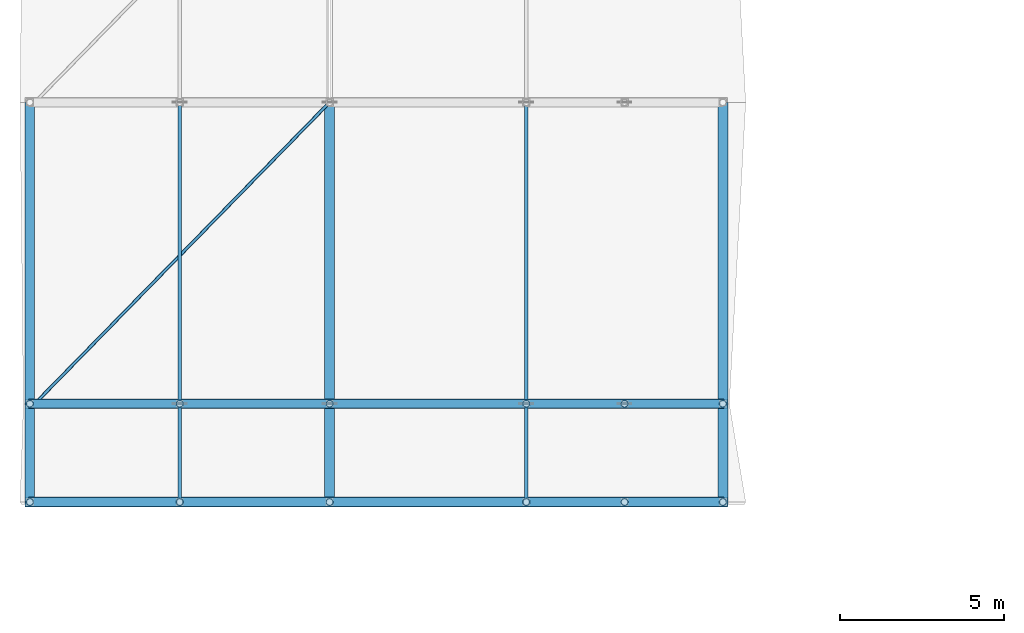
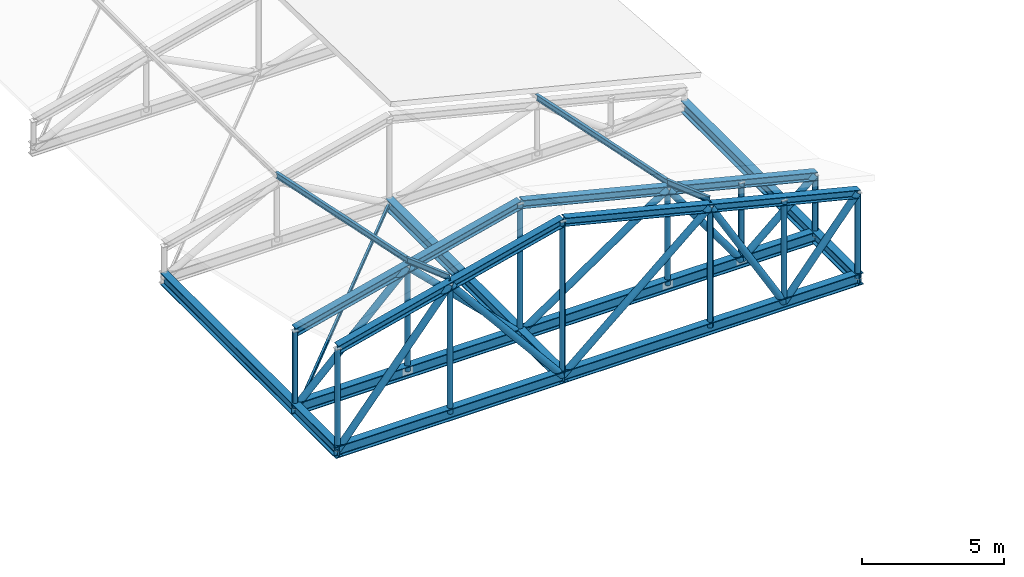
# One storey, part 15 of 61: 31 members, 5 beams.
"""IFC4 building model written with IfcOpenShell, lengths in metres."""

from ifc_helpers import new_model, si_unit, direction, frame, origin, origin_2d, place, context, subcontext, project, spatial, hollow_rectangle, hollow_circle, i_section, extrude, material, material_profile, profile_set, type_object, element, save


model = new_model("IFC4")

# Units and contexts
model_context = context("Model", 3, precision=1e-05, world=origin(), true_north=direction((0.0, 1.0)))
body_context = subcontext(model_context, "Body", "Model", "MODEL_VIEW")
ifc_project = project(units=[si_unit("LENGTHUNIT", "METRE"), si_unit("AREAUNIT", "SQUARE_METRE"), si_unit("VOLUMEUNIT", "CUBIC_METRE"), si_unit("PLANEANGLEUNIT", "RADIAN"), si_unit("MASSUNIT", "GRAM", prefix="KILO")], contexts=[model_context])

# Site, building, storey
site_placement = place(None, origin())
site = spatial("IfcSite", under=ifc_project, at=site_placement, CompositionType="ELEMENT")
building_placement = place(site_placement, origin())
building = spatial("IfcBuilding", under=site, at=building_placement, Name="Bozkorgan Art Gallery", CompositionType="ELEMENT")
storey_placement = place(building_placement, frame((0.0, 0.0, 10.199951171875)))
storey = spatial("IfcBuildingStorey", under=building, at=storey_placement, Name="L02", CompositionType="ELEMENT", Elevation=10.199951171875)

# Beams
ifc_material = material(Name="Steel S355J2", Category="steel")
ifc_material_profile_1 = material_profile(ifc_material, i_section(OverallWidth=0.300048828125, OverallDepth=0.5, WebThickness=0.014404296875, FlangeThickness=0.028076171875, FilletRadius=0.027099609375, at=origin_2d()), Name="HEB 500")
ifc_profile_set_1 = profile_set([ifc_material_profile_1], Name="Steel S355J2")
beam_type = type_object("IfcBeamType", Name="BEAM-TO-52", PredefinedType="BEAM", material=ifc_profile_set_1)
for number, where, z_axis, x_axis, name in (
    (1, (1.85009765625, 53.659912109375, 0.25), (0.0, 1.0, 0.0), (-1.0, 0.0, 0.0), "ROOF-V2-MAIN south overhang continuous truss chord 1"),
    (2, (11.0, 53.659912109375, 0.25), (0.0, 1.0, 0.0), (-1.0, 0.0, 0.0), "ROOF-V2-MAIN south overhang continuous truss chord 2"),
    (3, (23.0, 53.659912109375, 0.25), (0.0, 1.0, 0.0), (-1.0, 0.0, 0.0), "ROOF-V2-MAIN south overhang continuous truss chord 3"),
):
    element("IfcBeam", number, at=place(storey_placement, frame(where, z_axis=z_axis, x_axis=x_axis)), inside=storey, type_object=beam_type, Name=name, PredefinedType="BEAM", context=body_context, shape_type="SweptSolid", body=[
        extrude(i_section(OverallWidth=0.300048828125, OverallDepth=0.5, WebThickness=0.014404296875, FlangeThickness=0.028076171875, FilletRadius=0.027099609375, at=origin_2d()), origin(), (0.0, 0.0, 1.0), 12.340087890625),
    ])
for number, where, z_axis, x_axis, name in (
    (4, (1.7099609375, 53.800048828125, 0.25), (1.0, 0.0, 0.0), (0.0, 1.0, 0.0), "ROOF-V2-MAIN overhang fascia truss 1 bottom chord"),
    (5, (1.7099609375, 56.800048828125, 0.25), (1.0, 0.0, 0.0), (0.0, 1.0, 0.0), "ROOF-V2-MAIN roof truss 2 bottom chord"),
):
    element("IfcBeam", number, at=place(storey_placement, frame(where, z_axis=z_axis, x_axis=x_axis)), inside=storey, type_object=beam_type, Name=name, PredefinedType="BEAM", context=body_context, shape_type="SweptSolid", body=[
        extrude(i_section(OverallWidth=0.300048828125, OverallDepth=0.5, WebThickness=0.014404296875, FlangeThickness=0.028076171875, FilletRadius=0.027099609375, at=origin_2d()), origin(), (0.0, 0.0, 1.0), 21.429931640625),
    ])

# Members
ifc_material_profile_2 = material_profile(ifc_material, hollow_circle(Radius=0.109619140625, WallThickness=0.010009765625, at=origin_2d()), Name="CHS 219.1x10")
ifc_profile_set_2 = profile_set([ifc_material_profile_2], Name="Steel S355J2")
member_type_1 = type_object("IfcMemberType", Name="MEMBER-PO-77", PredefinedType="POST", material=ifc_profile_set_2)
member_1_placement = place(storey_placement, frame((1.85009765625, 53.800048828125, 0.25), z_axis=(0.0, 0.0, 1.0), x_axis=(1.0, 0.0, 0.0)))
element("IfcMember", 6, at=member_1_placement, inside=storey, type_object=member_type_1, Name="ROOF-V2-MAIN roof truss 1 post 0", PredefinedType="POST", context=body_context, shape_type="SweptSolid", body=[
    extrude(hollow_circle(Radius=0.109619140625, WallThickness=0.010009765625, at=origin_2d()), origin(), (0.0, 0.0, 1.0), 4.3740234375),
])
member_2_placement = place(storey_placement, frame((6.425048828125, 53.800048828125, 0.25), z_axis=(0.0, 0.0, 1.0), x_axis=(1.0, 0.0, 0.0)))
element("IfcMember", 7, at=member_2_placement, inside=storey, type_object=member_type_1, Name="ROOF-V2-MAIN roof truss 1 post 1", PredefinedType="POST", context=body_context, shape_type="SweptSolid", body=[
    extrude(hollow_circle(Radius=0.109619140625, WallThickness=0.010009765625, at=origin_2d()), origin(), (0.0, 0.0, 1.0), 5.5146484375),
])
member_3_placement = place(storey_placement, frame((11.0, 53.800048828125, 0.25), z_axis=(0.0, 0.0, 1.0), x_axis=(1.0, 0.0, 0.0)))
element("IfcMember", 8, at=member_3_placement, inside=storey, type_object=member_type_1, Name="ROOF-V2-MAIN roof truss 1 post 2", PredefinedType="POST", context=body_context, shape_type="SweptSolid", body=[
    extrude(hollow_circle(Radius=0.109619140625, WallThickness=0.010009765625, at=origin_2d()), origin(), (0.0, 0.0, 1.0), 6.6552734375),
])
member_4_placement = place(storey_placement, frame((17.0, 53.800048828125, 0.25), z_axis=(0.0, 0.0, 1.0), x_axis=(1.0, 0.0, 0.0)))
element("IfcMember", 9, at=member_4_placement, inside=storey, type_object=member_type_1, Name="ROOF-V2-MAIN roof truss 1 post 3", PredefinedType="POST", context=body_context, shape_type="SweptSolid", body=[
    extrude(hollow_circle(Radius=0.109619140625, WallThickness=0.010009765625, at=origin_2d()), origin(), (0.0, 0.0, 1.0), 5.1591796875),
])
member_5_placement = place(storey_placement, frame((20.0, 53.800048828125, 0.25), z_axis=(0.0, 0.0, 1.0), x_axis=(1.0, 0.0, 0.0)))
element("IfcMember", 10, at=member_5_placement, inside=storey, type_object=member_type_1, Name="ROOF-V2-MAIN roof truss 1 post 4", PredefinedType="POST", context=body_context, shape_type="SweptSolid", body=[
    extrude(hollow_circle(Radius=0.109619140625, WallThickness=0.010009765625, at=origin_2d()), origin(), (0.0, 0.0, 1.0), 4.411376953125),
])
member_6_placement = place(storey_placement, frame((23.0, 53.800048828125, 0.25), z_axis=(0.0, 0.0, 1.0), x_axis=(1.0, 0.0, 0.0)))
element("IfcMember", 11, at=member_6_placement, inside=storey, type_object=member_type_1, Name="ROOF-V2-MAIN roof truss 1 post 5", PredefinedType="POST", context=body_context, shape_type="SweptSolid", body=[
    extrude(hollow_circle(Radius=0.109619140625, WallThickness=0.010009765625, at=origin_2d()), origin(), (0.0, 0.0, 1.0), 3.663330078125),
])
ifc_material_profile_3 = material_profile(ifc_material, i_section(OverallWidth=0.1201171875, OverallDepth=0.239990234375, WebThickness=0.006103515625, FlangeThickness=0.009765625, FilletRadius=0.014892578125, at=origin_2d()), Name="IPE 240")
ifc_profile_set_3 = profile_set([ifc_material_profile_3], Name="Steel S355J2")
member_type_2 = type_object("IfcMemberType", Name="MEMBER-PR-34", PredefinedType="PURLIN", material=ifc_profile_set_3)
for number, where, z_axis, x_axis, name in (
    (12, (6.425048828125, 53.800048828125, 6.0595703125), (0.0, 0.942723757647, -0.33357445461), (-1.0, 0.0, 0.0), "ROOF-V2-MAIN roof purlin 1W"),
    (13, (17.0, 53.800048828125, 5.704345703125), (0.0, 0.942699630067, -0.333642634372), (-1.0, 0.0, 0.0), "ROOF-V2-MAIN roof purlin 1E"),
):
    element("IfcMember", number, at=place(storey_placement, frame(where, z_axis=z_axis, x_axis=x_axis)), inside=storey, type_object=member_type_2, Name=name, PredefinedType="PURLIN", context=body_context, shape_type="SweptSolid", body=[
        extrude(i_section(OverallWidth=0.1201171875, OverallDepth=0.239990234375, WebThickness=0.006103515625, FlangeThickness=0.009765625, FilletRadius=0.014892578125, at=origin_2d()), origin(), (0.0, 0.0, 1.0), 3.182373046875),
    ])
for number, where, z_axis, x_axis, name in (
    (14, (6.425048828125, 56.800048828125, 4.998046875), (0.0, 0.978921377618, -0.204237451127), (-1.0, 0.0, 0.0), "ROOF-V2-MAIN roof purlin 2W"),
    (15, (17.0, 56.800048828125, 4.642578125), (0.0, 0.978926571133, -0.204212556741), (-1.0, 0.0, 0.0), "ROOF-V2-MAIN roof purlin 2E"),
):
    element("IfcMember", number, at=place(storey_placement, frame(where, z_axis=z_axis, x_axis=x_axis)), inside=storey, type_object=member_type_2, Name=name, PredefinedType="PURLIN", context=body_context, shape_type="SweptSolid", body=[
        extrude(i_section(OverallWidth=0.1201171875, OverallDepth=0.239990234375, WebThickness=0.006103515625, FlangeThickness=0.009765625, FilletRadius=0.014892578125, at=origin_2d()), origin(), (0.0, 0.0, 1.0), 9.39794921875),
    ])
ifc_material_profile_4 = material_profile(ifc_material, i_section(OverallWidth=0.300048828125, OverallDepth=0.35009765625, WebThickness=0.010009765625, FlangeThickness=0.017578125, FilletRadius=0.027099609375, at=origin_2d()), Name="HEA 360")
ifc_profile_set_4 = profile_set([ifc_material_profile_4], Name="Steel S355J2")
member_type_3 = type_object("IfcMemberType", Name="MEMBER-TC-31", PredefinedType="CHORD", material=ifc_profile_set_4)
member_7_placement = place(storey_placement, frame((1.85009765625, 53.800048828125, 4.6240234375), z_axis=(0.970297639918, 0.0, 0.241914220273), x_axis=(0.0, 1.0, 0.0)))
element("IfcMember", 16, at=member_7_placement, inside=storey, type_object=member_type_3, Name="ROOF-V2-MAIN roof truss 1 west top chord", PredefinedType="CHORD", context=body_context, shape_type="SweptSolid", body=[
    extrude(i_section(OverallWidth=0.300048828125, OverallDepth=0.35009765625, WebThickness=0.010009765625, FlangeThickness=0.017578125, FilletRadius=0.027099609375, at=origin_2d()), origin(), (0.0, 0.0, 1.0), 9.429931640625),
])
member_8_placement = place(storey_placement, frame((11.0, 53.800048828125, 6.9052734375), z_axis=(0.970295587241, 0.0, -0.24192245324), x_axis=(0.0, 1.0, 0.0)))
element("IfcMember", 17, at=member_8_placement, inside=storey, type_object=member_type_3, Name="ROOF-V2-MAIN roof truss 1 east top chord", PredefinedType="CHORD", context=body_context, shape_type="SweptSolid", body=[
    extrude(i_section(OverallWidth=0.300048828125, OverallDepth=0.35009765625, WebThickness=0.010009765625, FlangeThickness=0.017578125, FilletRadius=0.027099609375, at=origin_2d()), origin(), (0.0, 0.0, 1.0), 12.367431640625),
])
member_9_placement = place(storey_placement, frame((1.85009765625, 56.800048828125, 3.562255859375), z_axis=(0.97029156257, 0.0, 0.241938594701), x_axis=(0.0, 1.0, 0.0)))
element("IfcMember", 18, at=member_9_placement, inside=storey, type_object=member_type_3, Name="ROOF-V2-MAIN roof truss 2 west top chord", PredefinedType="CHORD", context=body_context, shape_type="SweptSolid", body=[
    extrude(i_section(OverallWidth=0.300048828125, OverallDepth=0.35009765625, WebThickness=0.010009765625, FlangeThickness=0.017578125, FilletRadius=0.027099609375, at=origin_2d()), origin(), (0.0, 0.0, 1.0), 9.43017578125),
])
member_10_placement = place(storey_placement, frame((11.0, 56.800048828125, 5.84375), z_axis=(0.970295587241, 0.0, -0.24192245324), x_axis=(0.0, 1.0, 0.0)))
element("IfcMember", 19, at=member_10_placement, inside=storey, type_object=member_type_3, Name="ROOF-V2-MAIN roof truss 2 east top chord", PredefinedType="CHORD", context=body_context, shape_type="SweptSolid", body=[
    extrude(i_section(OverallWidth=0.300048828125, OverallDepth=0.35009765625, WebThickness=0.010009765625, FlangeThickness=0.017578125, FilletRadius=0.027099609375, at=origin_2d()), origin(), (0.0, 0.0, 1.0), 12.367431640625),
])
ifc_material_profile_5 = material_profile(ifc_material, hollow_circle(Radius=0.109619140625, WallThickness=0.010009765625, at=origin_2d()), Name="CHS 219.1x10")
ifc_profile_set_5 = profile_set([ifc_material_profile_5], Name="Steel S355J2")
member_type_4 = type_object("IfcMemberType", Name="MEMBER-TP-78", PredefinedType="POST", material=ifc_profile_set_5)
member_11_placement = place(storey_placement, frame((1.85009765625, 56.800048828125, 0.25), z_axis=(0.0, 0.0, 1.0), x_axis=(1.0, 0.0, 0.0)))
element("IfcMember", 20, at=member_11_placement, inside=storey, type_object=member_type_4, Name="ROOF-V2-MAIN roof truss 2 post 0", PredefinedType="POST", context=body_context, shape_type="SweptSolid", body=[
    extrude(hollow_circle(Radius=0.109619140625, WallThickness=0.010009765625, at=origin_2d()), origin(), (0.0, 0.0, 1.0), 3.312255859375),
])
member_12_placement = place(storey_placement, frame((6.425048828125, 56.800048828125, 0.25), z_axis=(0.0, 0.0, 1.0), x_axis=(1.0, 0.0, 0.0)))
element("IfcMember", 21, at=member_12_placement, inside=storey, type_object=member_type_4, Name="ROOF-V2-MAIN roof truss 2 post 1", PredefinedType="POST", context=body_context, shape_type="SweptSolid", body=[
    extrude(hollow_circle(Radius=0.109619140625, WallThickness=0.010009765625, at=origin_2d()), origin(), (0.0, 0.0, 1.0), 4.452880859375),
])
member_13_placement = place(storey_placement, frame((11.0, 56.800048828125, 0.25), z_axis=(0.0, 0.0, 1.0), x_axis=(1.0, 0.0, 0.0)))
element("IfcMember", 22, at=member_13_placement, inside=storey, type_object=member_type_4, Name="ROOF-V2-MAIN roof truss 2 post 2", PredefinedType="POST", context=body_context, shape_type="SweptSolid", body=[
    extrude(hollow_circle(Radius=0.109619140625, WallThickness=0.010009765625, at=origin_2d()), origin(), (0.0, 0.0, 1.0), 5.59375),
])
member_14_placement = place(storey_placement, frame((17.0, 56.800048828125, 0.25), z_axis=(0.0, 0.0, 1.0), x_axis=(1.0, 0.0, 0.0)))
element("IfcMember", 23, at=member_14_placement, inside=storey, type_object=member_type_4, Name="ROOF-V2-MAIN roof truss 2 post 3", PredefinedType="POST", context=body_context, shape_type="SweptSolid", body=[
    extrude(hollow_circle(Radius=0.109619140625, WallThickness=0.010009765625, at=origin_2d()), origin(), (0.0, 0.0, 1.0), 4.09765625),
])
member_15_placement = place(storey_placement, frame((20.0, 56.800048828125, 0.25), z_axis=(0.0, 0.0, 1.0), x_axis=(1.0, 0.0, 0.0)))
element("IfcMember", 24, at=member_15_placement, inside=storey, type_object=member_type_4, Name="ROOF-V2-MAIN roof truss 2 post 4", PredefinedType="POST", context=body_context, shape_type="SweptSolid", body=[
    extrude(hollow_circle(Radius=0.109619140625, WallThickness=0.010009765625, at=origin_2d()), origin(), (0.0, 0.0, 1.0), 3.349609375),
])
member_16_placement = place(storey_placement, frame((23.0, 56.800048828125, 0.25), z_axis=(0.0, 0.0, 1.0), x_axis=(1.0, 0.0, 0.0)))
element("IfcMember", 25, at=member_16_placement, inside=storey, type_object=member_type_4, Name="ROOF-V2-MAIN roof truss 2 post 5", PredefinedType="POST", context=body_context, shape_type="SweptSolid", body=[
    extrude(hollow_circle(Radius=0.109619140625, WallThickness=0.010009765625, at=origin_2d()), origin(), (0.0, 0.0, 1.0), 2.601806640625),
])
ifc_material_profile_6 = material_profile(ifc_material, hollow_circle(Radius=0.136474609375, WallThickness=0.012451171875, at=origin_2d()), Name="CHS 273x12.5")
ifc_profile_set_6 = profile_set([ifc_material_profile_6], Name="Steel S355J2")
member_type_5 = type_object("IfcMemberType", Name="MEMBER-TW-28", PredefinedType="BRACE", material=ifc_profile_set_6)
for number, where, z_axis, x_axis, name in (
    (26, (1.85009765625, 53.800048828125, 0.25), (0.638487028312, 0.0, 0.76963258421), (0.0, 1.0, 0.0), "ROOF-V2-MAIN roof truss 1 diagonal 1"),
    (27, (6.425048828125, 53.800048828125, 5.7646484375), (0.638487028312, 0.0, -0.76963258421), (0.0, 1.0, 0.0), "ROOF-V2-MAIN roof truss 1 diagonal 2"),
):
    element("IfcMember", number, at=place(storey_placement, frame(where, z_axis=z_axis, x_axis=x_axis)), inside=storey, type_object=member_type_5, Name=name, PredefinedType="BRACE", context=body_context, shape_type="SweptSolid", body=[
        extrude(hollow_circle(Radius=0.136474609375, WallThickness=0.012451171875, at=origin_2d()), origin(), (0.0, 0.0, 1.0), 7.165283203125),
    ])
member_17_placement = place(storey_placement, frame((11.0, 53.800048828125, 0.25), z_axis=(0.758236442544, 0.0, 0.651979675449), x_axis=(0.0, 1.0, 0.0)))
element("IfcMember", 28, at=member_17_placement, inside=storey, type_object=member_type_5, Name="ROOF-V2-MAIN roof truss 1 diagonal 3", PredefinedType="BRACE", context=body_context, shape_type="SweptSolid", body=[
    extrude(hollow_circle(Radius=0.136474609375, WallThickness=0.012451171875, at=origin_2d()), origin(), (0.0, 0.0, 1.0), 7.9130859375),
])
member_18_placement = place(storey_placement, frame((17.0, 53.800048828125, 5.4091796875), z_axis=(0.502680181512, 0.0, -0.864472460588), x_axis=(0.0, 1.0, 0.0)))
element("IfcMember", 29, at=member_18_placement, inside=storey, type_object=member_type_5, Name="ROOF-V2-MAIN roof truss 1 diagonal 4", PredefinedType="BRACE", context=body_context, shape_type="SweptSolid", body=[
    extrude(hollow_circle(Radius=0.136474609375, WallThickness=0.012451171875, at=origin_2d()), origin(), (0.0, 0.0, 1.0), 5.968017578125),
])
member_19_placement = place(storey_placement, frame((20.0, 53.800048828125, 0.25), z_axis=(0.633583084639, 0.0, 0.773674656984), x_axis=(0.0, 1.0, 0.0)))
element("IfcMember", 30, at=member_19_placement, inside=storey, type_object=member_type_5, Name="ROOF-V2-MAIN roof truss 1 diagonal 5", PredefinedType="BRACE", context=body_context, shape_type="SweptSolid", body=[
    extrude(hollow_circle(Radius=0.136474609375, WallThickness=0.012451171875, at=origin_2d()), origin(), (0.0, 0.0, 1.0), 4.73486328125),
])
for number, where, z_axis, x_axis, name in (
    (31, (1.85009765625, 56.800048828125, 0.25), (0.716602457175, 0.0, 0.697481840889), (0.0, 1.0, 0.0), "ROOF-V2-MAIN roof truss 2 diagonal 1"),
    (32, (6.425048828125, 56.800048828125, 4.702880859375), (0.716602457175, 0.0, -0.697481840889), (0.0, 1.0, 0.0), "ROOF-V2-MAIN roof truss 2 diagonal 2"),
):
    element("IfcMember", number, at=place(storey_placement, frame(where, z_axis=z_axis, x_axis=x_axis)), inside=storey, type_object=member_type_5, Name=name, PredefinedType="BRACE", context=body_context, shape_type="SweptSolid", body=[
        extrude(hollow_circle(Radius=0.136474609375, WallThickness=0.012451171875, at=origin_2d()), origin(), (0.0, 0.0, 1.0), 6.38427734375),
    ])
member_20_placement = place(storey_placement, frame((11.0, 56.800048828125, 0.25), z_axis=(0.825794874907, 0.0, 0.563970588397), x_axis=(0.0, 1.0, 0.0)))
element("IfcMember", 33, at=member_20_placement, inside=storey, type_object=member_type_5, Name="ROOF-V2-MAIN roof truss 2 diagonal 3", PredefinedType="BRACE", context=body_context, shape_type="SweptSolid", body=[
    extrude(hollow_circle(Radius=0.136474609375, WallThickness=0.012451171875, at=origin_2d()), origin(), (0.0, 0.0, 1.0), 7.265625),
])
member_21_placement = place(storey_placement, frame((17.0, 56.800048828125, 4.34765625), z_axis=(0.590729908341, 0.0, -0.806869366992), x_axis=(0.0, 1.0, 0.0)))
element("IfcMember", 34, at=member_21_placement, inside=storey, type_object=member_type_5, Name="ROOF-V2-MAIN roof truss 2 diagonal 4", PredefinedType="BRACE", context=body_context, shape_type="SweptSolid", body=[
    extrude(hollow_circle(Radius=0.136474609375, WallThickness=0.012451171875, at=origin_2d()), origin(), (0.0, 0.0, 1.0), 5.078369140625),
])
member_22_placement = place(storey_placement, frame((20.0, 56.800048828125, 0.25), z_axis=(0.755463872236, 0.0, 0.655190306512), x_axis=(0.0, 1.0, 0.0)))
element("IfcMember", 35, at=member_22_placement, inside=storey, type_object=member_type_5, Name="ROOF-V2-MAIN roof truss 2 diagonal 5", PredefinedType="BRACE", context=body_context, shape_type="SweptSolid", body=[
    extrude(hollow_circle(Radius=0.136474609375, WallThickness=0.012451171875, at=origin_2d()), origin(), (0.0, 0.0, 1.0), 3.97119140625),
])
ifc_material_profile_7 = material_profile(ifc_material, hollow_rectangle(XDim=0.10009765625, YDim=0.14990234375, WallThickness=0.008056640625, InnerFilletRadius=0.011962890625, OuterFilletRadius=0.02001953125, at=origin_2d()), Name="RHS 150x100x8")
ifc_profile_set_7 = profile_set([ifc_material_profile_7], Name="Steel S355J2")
member_type_6 = type_object("IfcMemberType", Name="MEMBER-WB-10", PredefinedType="BRACE", material=ifc_profile_set_7)
member_23_placement = place(storey_placement, frame((2.0, 56.800048828125, 0.25), z_axis=(0.699296051965, 0.714832170307, 0.0), x_axis=(-0.714832170307, 0.699296051965, 0.0)))
element("IfcMember", 36, at=member_23_placement, inside=storey, type_object=member_type_6, Name="ROOF-V2-MAIN roof diaphragm wind brace 1", PredefinedType="BRACE", context=body_context, shape_type="SweptSolid", body=[
    extrude(hollow_rectangle(XDim=0.10009765625, YDim=0.14990234375, WallThickness=0.008056640625, InnerFilletRadius=0.011962890625, OuterFilletRadius=0.02001953125, at=origin_2d()), origin(), (0.0, 0.0, 1.0), 12.8701171875),
])

save(model, "model.ifc")
